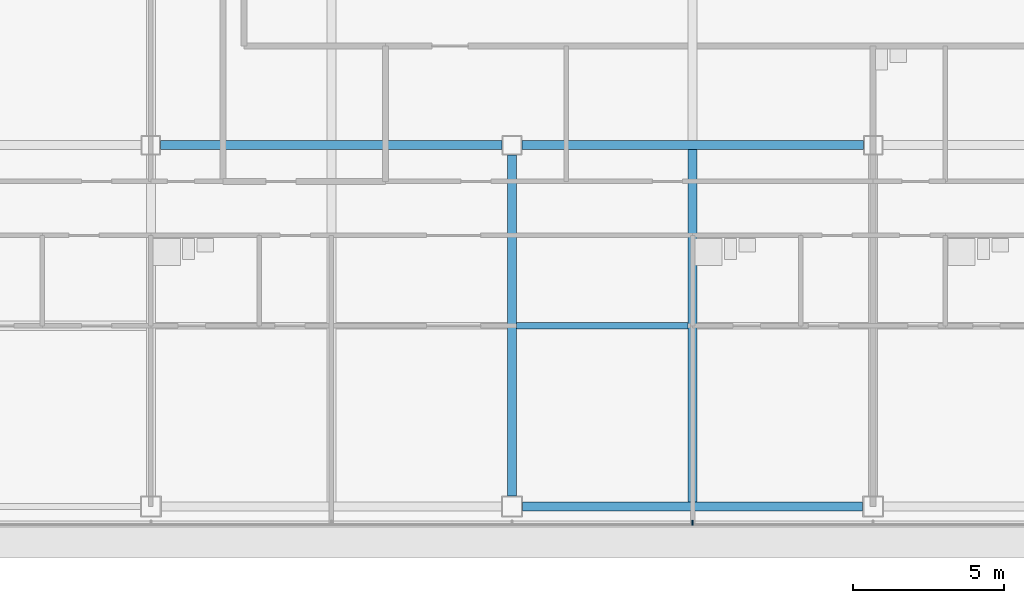
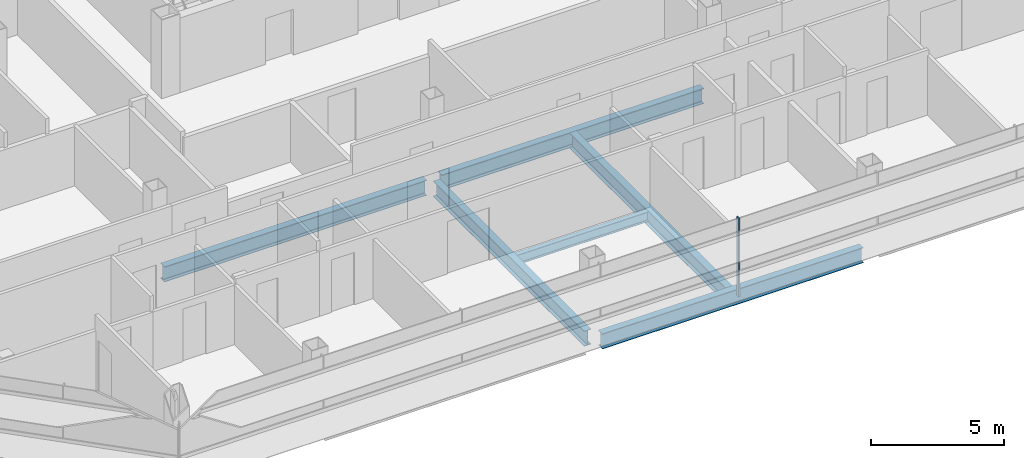
# One storey, part 3 of 27: 6 beams, 1 member, 1 element without a shape of its own.
"""IFC4 building model written with IfcOpenShell, lengths in metres."""

from ifc_helpers import new_model, si_unit, direction, frame, origin, origin_2d, place, context, subcontext, project, spatial, rectangle, i_section, extrude, material, material_profile, profile_set, type_object, element, aggregate, save


model = new_model("IFC4")

# Units and contexts
model_context = context("Model", 3, precision=1e-05, world=origin(), true_north=direction((0.0, 1.0)))
body_context = subcontext(model_context, "Body", "Model", "MODEL_VIEW")
ifc_project = project(units=[si_unit("LENGTHUNIT", "METRE"), si_unit("AREAUNIT", "SQUARE_METRE"), si_unit("VOLUMEUNIT", "CUBIC_METRE"), si_unit("PLANEANGLEUNIT", "RADIAN"), si_unit("MASSUNIT", "GRAM", prefix="KILO")], contexts=[model_context])

# Site, building, storey
site_placement = place(None, origin())
site = spatial("IfcSite", under=ifc_project, at=site_placement, CompositionType="ELEMENT")
building_placement = place(site_placement, origin())
building = spatial("IfcBuilding", under=site, at=building_placement, Name="Sorahane Residences", CompositionType="ELEMENT")
storey_placement = place(building_placement, frame((0.0, 0.0, 195.60009765625)))
storey = spatial("IfcBuildingStorey", under=building, at=storey_placement, Name="L45", CompositionType="ELEMENT", Elevation=195.60009765625)

# Curtain wall, member
ifc_material_1 = material(Name="Dark low-e glass and black anodised aluminium", Category="aluminium")
curtain_wall_type = type_object("IfcCurtainWallType", Name="Curtain wall CW-1 Typical unitised wall", PredefinedType="NOTDEFINED", material=ifc_material_1)
curtain_wall_placement = place(storey_placement, origin())
curtain_wall = element("IfcCurtainWall", 1, at=curtain_wall_placement, inside=storey, type_object=curtain_wall_type, Name="CW-1 curtain wall L45 S1", PredefinedType="NOTDEFINED")
ifc_material_2 = material(Name="Black anodised aluminium", Category="aluminium")
ifc_material_profile_1 = material_profile(ifc_material_2, rectangle(XDim=0.159912109375, YDim=0.050048828125, at=origin_2d()), Name="Curtain wall mullion CW-1 black anodised aluminium 50x160")
ifc_profile_set_1 = profile_set([ifc_material_profile_1], Name="Black anodised aluminium")
member_type = type_object("IfcMemberType", Name="Curtain wall mullion CW-1 black anodised aluminium 50x160", PredefinedType="MULLION", material=ifc_profile_set_1)
member_placement = place(storey_placement, frame((18.0, -0.5400390625, -0.18017578125), z_axis=(0.0, 0.0, 1.0), x_axis=(0.0, -1.0, 0.0)))
member = element("IfcMember", 2, at=member_placement, type_object=member_type, Name="CW-1 mullion L45 S1.5", PredefinedType="MULLION", context=body_context, shape_type="SweptSolid", body=[
    extrude(rectangle(XDim=0.159912109375, YDim=0.050048828125, at=origin_2d()), origin(), (0.0, 0.0, 1.0), 3.60009765625),
])
aggregate(curtain_wall, [member])

# Beams
ifc_material_3 = material(Name="Steel Q355B", Category="steel")
ifc_material_profile_2 = material_profile(ifc_material_3, i_section(OverallWidth=0.199951171875, OverallDepth=0.449951171875, WebThickness=0.009033203125, FlangeThickness=0.013916015625, FilletRadius=0.02001953125, at=origin_2d()), Name="HN 450x200x9x14")
ifc_profile_set_2 = profile_set([ifc_material_profile_2], Name="Steel Q355B")
beam_type_1 = type_object("IfcBeamType", Name="Steel floor beam HN 450x200x9x14 Q355B", PredefinedType="BEAM", material=ifc_profile_set_2)
beam_1_placement = place(storey_placement, frame((12.14990234375, 6.0, -0.405029296875), z_axis=(1.0, 0.0, 0.0), x_axis=(0.0, 1.0, 0.0)))
element("IfcBeam", 3, at=beam_1_placement, inside=storey, type_object=beam_type_1, Name="Beam L45 071", PredefinedType="BEAM", context=body_context, shape_type="SweptSolid", body=[
    extrude(i_section(OverallWidth=0.199951171875, OverallDepth=0.449951171875, WebThickness=0.009033203125, FlangeThickness=0.013916015625, FilletRadius=0.02001953125, at=origin_2d()), origin(), (0.0, 0.0, 1.0), 5.7001953125),
])
ifc_material_4 = material(Name="Steel Q355B", Category="steel")
ifc_material_profile_3 = material_profile(ifc_material_4, i_section(OverallWidth=0.300048828125, OverallDepth=0.699951171875, WebThickness=0.012939453125, FlangeThickness=0.02392578125, FilletRadius=0.028076171875, at=origin_2d()), Name="HN 700x300x13x24")
ifc_profile_set_3 = profile_set([ifc_material_profile_3], Name="Steel Q355B")
beam_type_2 = type_object("IfcBeamType", Name="Steel floor beam HN 700x300x13x24 Q355B", PredefinedType="BEAM", material=ifc_profile_set_3)
beam_2_placement = place(storey_placement, frame((12.35009765625, 0.0, -0.530029296875), z_axis=(1.0, 0.0, 0.0), x_axis=(0.0, 1.0, 0.0)))
element("IfcBeam", 4, at=beam_2_placement, inside=storey, type_object=beam_type_2, Name="Beam L45 002", PredefinedType="BEAM", context=body_context, shape_type="SweptSolid", body=[
    extrude(i_section(OverallWidth=0.300048828125, OverallDepth=0.699951171875, WebThickness=0.012939453125, FlangeThickness=0.02392578125, FilletRadius=0.028076171875, at=origin_2d()), origin(), (0.0, 0.0, 1.0), 11.2998046875),
])
for number, where, z_axis, x_axis, name in (
    (5, (0.324951171875, 12.0, -0.530029296875), (1.0, 0.0, 0.0), (0.0, 1.0, 0.0), "Beam L45 006"),
    (6, (12.324951171875, 12.0, -0.530029296875), (1.0, 0.0, 0.0), (0.0, 1.0, 0.0), "Beam L45 007"),
):
    element("IfcBeam", number, at=place(storey_placement, frame(where, z_axis=z_axis, x_axis=x_axis)), inside=storey, type_object=beam_type_2, Name=name, PredefinedType="BEAM", context=body_context, shape_type="SweptSolid", body=[
        extrude(i_section(OverallWidth=0.300048828125, OverallDepth=0.699951171875, WebThickness=0.012939453125, FlangeThickness=0.02392578125, FilletRadius=0.028076171875, at=origin_2d()), origin(), (0.0, 0.0, 1.0), 11.35009765625),
    ])
beam_3_placement = place(storey_placement, frame((12.0, 0.35009765625, -0.530029296875), z_axis=(0.0, 1.0, 0.0), x_axis=(-1.0, 0.0, 0.0)))
element("IfcBeam", 7, at=beam_3_placement, inside=storey, type_object=beam_type_2, Name="Beam L45 034", PredefinedType="BEAM", context=body_context, shape_type="SweptSolid", body=[
    extrude(i_section(OverallWidth=0.300048828125, OverallDepth=0.699951171875, WebThickness=0.012939453125, FlangeThickness=0.02392578125, FilletRadius=0.028076171875, at=origin_2d()), origin(), (0.0, 0.0, 1.0), 11.324951171875),
])
beam_4_placement = place(storey_placement, frame((18.0, 0.14990234375, -0.530029296875), z_axis=(0.0, 1.0, 0.0), x_axis=(-1.0, 0.0, 0.0)))
element("IfcBeam", 8, at=beam_4_placement, inside=storey, type_object=beam_type_2, Name="Beam L45 036", PredefinedType="BEAM", context=body_context, shape_type="SweptSolid", body=[
    extrude(i_section(OverallWidth=0.300048828125, OverallDepth=0.699951171875, WebThickness=0.012939453125, FlangeThickness=0.02392578125, FilletRadius=0.028076171875, at=origin_2d()), origin(), (0.0, 0.0, 1.0), 11.7001953125),
])

save(model, "model.ifc")
